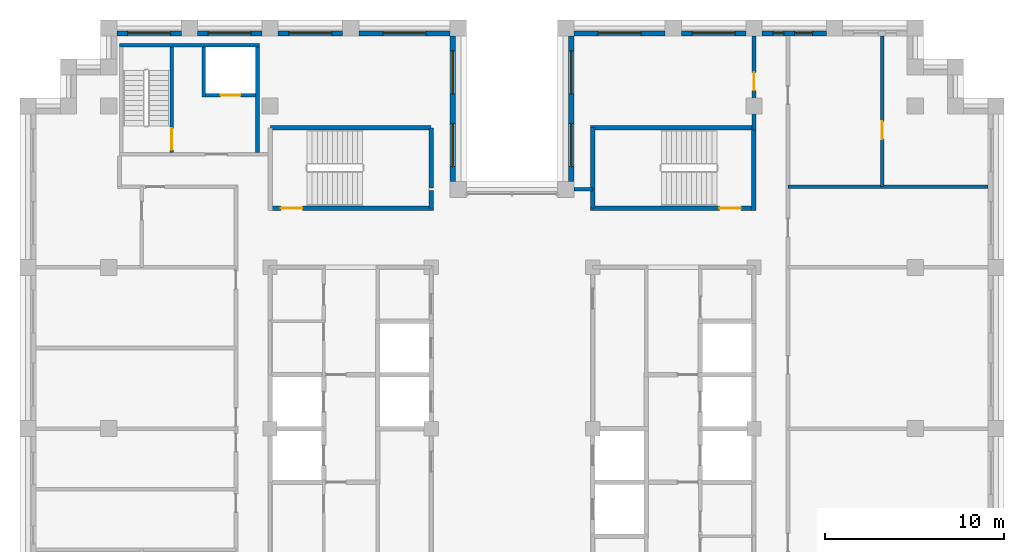
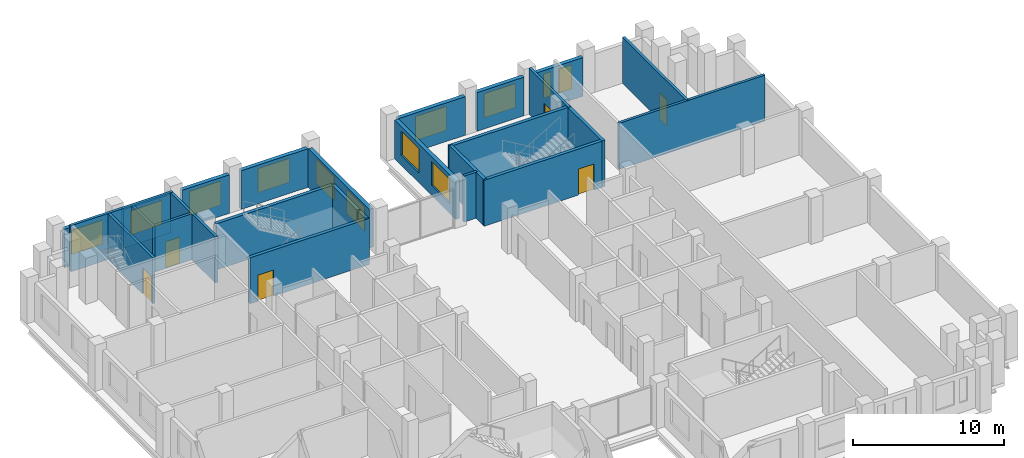
# One storey, part 10 of 13: 26 walls, 12 windows, 6 doors, 18 openings.
"""IFC4 building model written with IfcOpenShell, lengths in metres."""

from ifc_helpers import new_model, si_unit, direction, frame, frame_2d, origin, place, context, subcontext, project, spatial, rectangle, extrude, material, layer, layer_set, type_object, element, fill, save


model = new_model("IFC4")

# Units and contexts
model_context = context("Model", 3, precision=1e-05, world=origin(), true_north=direction((0.0, 1.0)))
body_context = subcontext(model_context, "Body", "Model", "MODEL_VIEW")
ifc_project = project(units=[si_unit("LENGTHUNIT", "METRE"), si_unit("AREAUNIT", "SQUARE_METRE"), si_unit("VOLUMEUNIT", "CUBIC_METRE"), si_unit("PLANEANGLEUNIT", "RADIAN"), si_unit("MASSUNIT", "GRAM", prefix="KILO")], contexts=[model_context])

# Site, building, storey
site_placement = place(None, origin())
site = spatial("IfcSite", under=ifc_project, at=site_placement, CompositionType="ELEMENT")
building_placement = place(site_placement, origin())
building = spatial("IfcBuilding", under=site, at=building_placement, Name="Corbelhall Arena Tower", CompositionType="ELEMENT")
storey_placement = place(building_placement, frame((0.0, 0.0, 282.0)))
storey = spatial("IfcBuildingStorey", under=building, at=storey_placement, Name="L61", CompositionType="ELEMENT", Elevation=282.0)

# Wall, openings, windows
ifc_material_1 = material(Name="Precast concrete C40/50 with granite facing", Category="masonry")
ifc_layer_1 = layer(ifc_material_1, 0.300048828125)
ifc_layer_set_1 = layer_set([ifc_layer_1], Name="EV-IW1 Infill panel 300")
wall_type_1 = type_object("IfcWallType", Name="EV-IW1 Infill panel 300", PredefinedType="SOLIDWALL", material=ifc_layer_set_1)
wall_1_placement = place(storey_placement, frame((17.550048828125, 22.050048828125, 0.0), z_axis=(0.0, 0.0, 1.0), x_axis=(-1.0, 0.0, 0.0)))
wall_1 = element("IfcWall", 1, at=wall_1_placement, inside=storey, type_object=wall_type_1, Name="Infill panel IW1", PredefinedType="SOLIDWALL", context=body_context, shape_type="SweptSolid", body=[
    extrude(rectangle(XDim=3.60009765625, YDim=0.300048828125, at=frame_2d((1.800048828125, 0.0))), origin(), (0.0, 0.0, 1.0), 3.1201171875),
])
opening_1_placement = place(wall_1_placement, frame((0.77490234375, 0.0, 0.800048828125)))
opening_1 = element("IfcOpeningElement", 2, at=opening_1_placement, cuts=wall_1, Name="Opening WN6", PredefinedType="OPENING", context=body_context, shape_type="SweptSolid", body=[
    extrude(rectangle(XDim=1.0, YDim=1.949951171875, at=frame_2d((0.5, 0.97509765625))), frame((0.0, 0.14990234375, 0.0), z_axis=(0.0, -1.0, 0.0), x_axis=(1.0, 0.0, 0.0)), (0.0, 0.0, 1.0), 0.300048828125),
])
opening_2_placement = place(wall_1_placement, frame((2.375, 0.0, 0.800048828125)))
opening_2 = element("IfcOpeningElement", 3, at=opening_2_placement, cuts=wall_1, Name="Opening WN5", PredefinedType="OPENING", context=body_context, shape_type="SweptSolid", body=[
    extrude(rectangle(XDim=0.60009765625, YDim=1.949951171875, at=frame_2d((0.300048828125, 0.97509765625))), frame((0.0, 0.14990234375, 0.0), z_axis=(0.0, -1.0, 0.0), x_axis=(1.0, 0.0, 0.0)), (0.0, 0.0, 1.0), 0.300048828125),
])
ifc_material_2 = material(Name="Aluminium black anodised", Category="aluminium")
window_type_1 = type_object("IfcWindowType", Name="EV-WN5 Office window 600", PartitioningType="SINGLE_PANEL", PredefinedType="WINDOW", material=ifc_material_2)
window_1_placement = place(opening_2_placement, origin())
window_1 = element("IfcWindow", 4, at=window_1_placement, inside=storey, type_object=window_type_1, Name="Window WN5", OverallHeight=1.949951171875, OverallWidth=0.60009765625, PartitioningType="SINGLE_PANEL", PredefinedType="WINDOW", context=body_context, shape_type="SweptSolid", body=[
    extrude(rectangle(XDim=0.60009765625, YDim=1.949951171875, at=frame_2d((0.300048828125, 0.97509765625))), frame((0.0, 0.030029296875, 0.0), z_axis=(0.0, -1.0, 0.0), x_axis=(1.0, 0.0, 0.0)), (0.0, 0.0, 1.0), 0.06005859375),
])
fill(opening_2, window_1)
window_type_2 = type_object("IfcWindowType", Name="EV-WN6 Office window 1000", PartitioningType="SINGLE_PANEL", PredefinedType="WINDOW", material=ifc_material_2)
window_2_placement = place(opening_1_placement, origin())
window_2 = element("IfcWindow", 5, at=window_2_placement, inside=storey, type_object=window_type_2, Name="Window WN6", OverallHeight=1.949951171875, OverallWidth=1.0, PartitioningType="SINGLE_PANEL", PredefinedType="WINDOW", context=body_context, shape_type="SweptSolid", body=[
    extrude(rectangle(XDim=1.0, YDim=1.949951171875, at=frame_2d((0.5, 0.97509765625))), frame((0.0, 0.030029296875, 0.0), z_axis=(0.0, -1.0, 0.0), x_axis=(1.0, 0.0, 0.0)), (0.0, 0.0, 1.0), 0.06005859375),
])
fill(opening_1, window_2)

# Wall, opening, window
wall_2_placement = place(storey_placement, frame((13.050048828125, 22.050048828125, 0.0), z_axis=(0.0, 0.0, 1.0), x_axis=(-1.0, 0.0, 0.0)))
wall_2 = element("IfcWall", 6, at=wall_2_placement, inside=storey, type_object=wall_type_1, Name="Infill panel IW1", PredefinedType="SOLIDWALL", context=body_context, shape_type="SweptSolid", body=[
    extrude(rectangle(XDim=3.60009765625, YDim=0.300048828125, at=frame_2d((1.800048828125, 0.0))), origin(), (0.0, 0.0, 1.0), 3.1201171875),
])
opening_3_placement = place(wall_2_placement, frame((0.60009765625, 0.0, 0.800048828125)))
opening_3 = element("IfcOpeningElement", 7, at=opening_3_placement, cuts=wall_2, Name="Opening WN1", PredefinedType="OPENING", context=body_context, shape_type="SweptSolid", body=[
    extrude(rectangle(XDim=2.39990234375, YDim=1.949951171875, at=frame_2d((1.199951171875, 0.97509765625))), frame((0.0, 0.14990234375, 0.0), z_axis=(0.0, -1.0, 0.0), x_axis=(1.0, 0.0, 0.0)), (0.0, 0.0, 1.0), 0.300048828125),
])
window_type_3 = type_object("IfcWindowType", Name="EV-WN1 Office window", PartitioningType="SINGLE_PANEL", PredefinedType="WINDOW", material=ifc_material_2)
window_3_placement = place(opening_3_placement, origin())
window_3 = element("IfcWindow", 8, at=window_3_placement, inside=storey, type_object=window_type_3, Name="Window WN1", OverallHeight=1.949951171875, OverallWidth=2.39990234375, PartitioningType="SINGLE_PANEL", PredefinedType="WINDOW", context=body_context, shape_type="SweptSolid", body=[
    extrude(rectangle(XDim=2.39990234375, YDim=1.949951171875, at=frame_2d((1.199951171875, 0.97509765625))), frame((0.0, 0.030029296875, 0.0), z_axis=(0.0, -1.0, 0.0), x_axis=(1.0, 0.0, 0.0)), (0.0, 0.0, 1.0), 0.06005859375),
])
fill(opening_3, window_3)

wall_3_placement = place(storey_placement, frame((8.550048828125, 22.050048828125, 0.0), z_axis=(0.0, 0.0, 1.0), x_axis=(-1.0, 0.0, 0.0)))
wall_3 = element("IfcWall", 9, at=wall_3_placement, inside=storey, type_object=wall_type_1, Name="Infill panel IW1", PredefinedType="SOLIDWALL", context=body_context, shape_type="SweptSolid", body=[
    extrude(rectangle(XDim=5.10009765625, YDim=0.300048828125, at=frame_2d((2.550048828125, 0.0))), origin(), (0.0, 0.0, 1.0), 3.1201171875),
])
opening_4_placement = place(wall_3_placement, frame((1.35009765625, 0.0, 0.800048828125)))
opening_4 = element("IfcOpeningElement", 10, at=opening_4_placement, cuts=wall_3, Name="Opening WN1", PredefinedType="OPENING", context=body_context, shape_type="SweptSolid", body=[
    extrude(rectangle(XDim=2.39990234375, YDim=1.949951171875, at=frame_2d((1.199951171875, 0.97509765625))), frame((0.0, 0.14990234375, 0.0), z_axis=(0.0, -1.0, 0.0), x_axis=(1.0, 0.0, 0.0)), (0.0, 0.0, 1.0), 0.300048828125),
])
window_4_placement = place(opening_4_placement, origin())
window_4 = element("IfcWindow", 11, at=window_4_placement, inside=storey, type_object=window_type_3, Name="Window WN1", OverallHeight=1.949951171875, OverallWidth=2.39990234375, PartitioningType="SINGLE_PANEL", PredefinedType="WINDOW", context=body_context, shape_type="SweptSolid", body=[
    extrude(rectangle(XDim=2.39990234375, YDim=1.949951171875, at=frame_2d((1.199951171875, 0.97509765625))), frame((0.0, 0.030029296875, 0.0), z_axis=(0.0, -1.0, 0.0), x_axis=(1.0, 0.0, 0.0)), (0.0, 0.0, 1.0), 0.06005859375),
])
fill(opening_4, window_4)

# Wall, openings, windows
wall_4_placement = place(storey_placement, frame((3.300048828125, 21.89990234375, 0.0), z_axis=(0.0, 0.0, 1.0), x_axis=(0.0, -1.0, 0.0)))
wall_4 = element("IfcWall", 12, at=wall_4_placement, inside=storey, type_object=wall_type_1, Name="Infill panel IW1", PredefinedType="SOLIDWALL", context=body_context, shape_type="SweptSolid", body=[
    extrude(rectangle(XDim=8.099853515625, YDim=0.300048828125, at=frame_2d((4.0498046875, 0.0))), origin(), (0.0, 0.0, 1.0), 3.1201171875),
])
opening_5_placement = place(wall_4_placement, frame((0.824951171875, 0.0, 0.800048828125)))
opening_5 = element("IfcOpeningElement", 13, at=opening_5_placement, cuts=wall_4, Name="Opening WN1", PredefinedType="OPENING", context=body_context, shape_type="SweptSolid", body=[
    extrude(rectangle(XDim=2.39990234375, YDim=1.949951171875, at=frame_2d((1.199951171875, 0.97509765625))), frame((0.0, 0.14990234375, 0.0), z_axis=(0.0, -1.0, 0.0), x_axis=(1.0, 0.0, 0.0)), (0.0, 0.0, 1.0), 0.300048828125),
])
opening_6_placement = place(wall_4_placement, frame((4.875, 0.0, 0.800048828125)))
opening_6 = element("IfcOpeningElement", 14, at=opening_6_placement, cuts=wall_4, Name="Opening WN1", PredefinedType="OPENING", context=body_context, shape_type="SweptSolid", body=[
    extrude(rectangle(XDim=2.39990234375, YDim=1.949951171875, at=frame_2d((1.199951171875, 0.97509765625))), frame((0.0, 0.14990234375, 0.0), z_axis=(0.0, -1.0, 0.0), x_axis=(1.0, 0.0, 0.0)), (0.0, 0.0, 1.0), 0.300048828125),
])
window_5_placement = place(opening_5_placement, origin())
window_5 = element("IfcWindow", 15, at=window_5_placement, inside=storey, type_object=window_type_3, Name="Window WN1", OverallHeight=1.949951171875, OverallWidth=2.39990234375, PartitioningType="SINGLE_PANEL", PredefinedType="WINDOW", context=body_context, shape_type="SweptSolid", body=[
    extrude(rectangle(XDim=2.39990234375, YDim=1.949951171875, at=frame_2d((1.199951171875, 0.97509765625))), frame((0.0, 0.030029296875, 0.0), z_axis=(0.0, -1.0, 0.0), x_axis=(1.0, 0.0, 0.0)), (0.0, 0.0, 1.0), 0.06005859375),
])
fill(opening_5, window_5)
window_6_placement = place(opening_6_placement, origin())
window_6 = element("IfcWindow", 16, at=window_6_placement, inside=storey, type_object=window_type_3, Name="Window WN1", OverallHeight=1.949951171875, OverallWidth=2.39990234375, PartitioningType="SINGLE_PANEL", PredefinedType="WINDOW", context=body_context, shape_type="SweptSolid", body=[
    extrude(rectangle(XDim=2.39990234375, YDim=1.949951171875, at=frame_2d((1.199951171875, 0.97509765625))), frame((0.0, 0.030029296875, 0.0), z_axis=(0.0, -1.0, 0.0), x_axis=(1.0, 0.0, 0.0)), (0.0, 0.0, 1.0), 0.06005859375),
])
fill(opening_6, window_6)

wall_5_placement = place(storey_placement, frame((-3.300048828125, 13.800048828125, 0.0), z_axis=(0.0, 0.0, 1.0), x_axis=(0.0, 1.0, 0.0)))
wall_5 = element("IfcWall", 17, at=wall_5_placement, inside=storey, type_object=wall_type_1, Name="Infill panel IW1", PredefinedType="SOLIDWALL", context=body_context, shape_type="SweptSolid", body=[
    extrude(rectangle(XDim=8.099853515625, YDim=0.300048828125, at=frame_2d((4.0498046875, 0.0))), origin(), (0.0, 0.0, 1.0), 3.1201171875),
])
opening_7_placement = place(wall_5_placement, frame((0.824951171875, 0.0, 0.800048828125)))
opening_7 = element("IfcOpeningElement", 18, at=opening_7_placement, cuts=wall_5, Name="Opening WN1", PredefinedType="OPENING", context=body_context, shape_type="SweptSolid", body=[
    extrude(rectangle(XDim=2.39990234375, YDim=1.949951171875, at=frame_2d((1.199951171875, 0.97509765625))), frame((0.0, 0.14990234375, 0.0), z_axis=(0.0, -1.0, 0.0), x_axis=(1.0, 0.0, 0.0)), (0.0, 0.0, 1.0), 0.300048828125),
])
opening_8_placement = place(wall_5_placement, frame((4.875, 0.0, 0.800048828125)))
opening_8 = element("IfcOpeningElement", 19, at=opening_8_placement, cuts=wall_5, Name="Opening WN1", PredefinedType="OPENING", context=body_context, shape_type="SweptSolid", body=[
    extrude(rectangle(XDim=2.39990234375, YDim=1.949951171875, at=frame_2d((1.199951171875, 0.97509765625))), frame((0.0, 0.14990234375, 0.0), z_axis=(0.0, -1.0, 0.0), x_axis=(1.0, 0.0, 0.0)), (0.0, 0.0, 1.0), 0.300048828125),
])
window_7_placement = place(opening_7_placement, origin())
window_7 = element("IfcWindow", 20, at=window_7_placement, inside=storey, type_object=window_type_3, Name="Window WN1", OverallHeight=1.949951171875, OverallWidth=2.39990234375, PartitioningType="SINGLE_PANEL", PredefinedType="WINDOW", context=body_context, shape_type="SweptSolid", body=[
    extrude(rectangle(XDim=2.39990234375, YDim=1.949951171875, at=frame_2d((1.199951171875, 0.97509765625))), frame((0.0, 0.030029296875, 0.0), z_axis=(0.0, -1.0, 0.0), x_axis=(1.0, 0.0, 0.0)), (0.0, 0.0, 1.0), 0.06005859375),
])
fill(opening_7, window_7)
window_8_placement = place(opening_8_placement, origin())
window_8 = element("IfcWindow", 21, at=window_8_placement, inside=storey, type_object=window_type_3, Name="Window WN1", OverallHeight=1.949951171875, OverallWidth=2.39990234375, PartitioningType="SINGLE_PANEL", PredefinedType="WINDOW", context=body_context, shape_type="SweptSolid", body=[
    extrude(rectangle(XDim=2.39990234375, YDim=1.949951171875, at=frame_2d((1.199951171875, 0.97509765625))), frame((0.0, 0.030029296875, 0.0), z_axis=(0.0, -1.0, 0.0), x_axis=(1.0, 0.0, 0.0)), (0.0, 0.0, 1.0), 0.06005859375),
])
fill(opening_8, window_8)

# Wall, opening, window
wall_6_placement = place(storey_placement, frame((-3.449951171875, 22.050048828125, 0.0), z_axis=(0.0, 0.0, 1.0), x_axis=(-1.0, 0.0, 0.0)))
wall_6 = element("IfcWall", 22, at=wall_6_placement, inside=storey, type_object=wall_type_1, Name="Infill panel IW1", PredefinedType="SOLIDWALL", context=body_context, shape_type="SweptSolid", body=[
    extrude(rectangle(XDim=5.10009765625, YDim=0.300048828125, at=frame_2d((2.550048828125, 0.0))), origin(), (0.0, 0.0, 1.0), 3.1201171875),
])
opening_9_placement = place(wall_6_placement, frame((1.35009765625, 0.0, 0.800048828125)))
opening_9 = element("IfcOpeningElement", 23, at=opening_9_placement, cuts=wall_6, Name="Opening WN1", PredefinedType="OPENING", context=body_context, shape_type="SweptSolid", body=[
    extrude(rectangle(XDim=2.39990234375, YDim=1.949951171875, at=frame_2d((1.199951171875, 0.97509765625))), frame((0.0, 0.14990234375, 0.0), z_axis=(0.0, -1.0, 0.0), x_axis=(1.0, 0.0, 0.0)), (0.0, 0.0, 1.0), 0.300048828125),
])
window_9_placement = place(opening_9_placement, origin())
window_9 = element("IfcWindow", 24, at=window_9_placement, inside=storey, type_object=window_type_3, Name="Window WN1", OverallHeight=1.949951171875, OverallWidth=2.39990234375, PartitioningType="SINGLE_PANEL", PredefinedType="WINDOW", context=body_context, shape_type="SweptSolid", body=[
    extrude(rectangle(XDim=2.39990234375, YDim=1.949951171875, at=frame_2d((1.199951171875, 0.97509765625))), frame((0.0, 0.030029296875, 0.0), z_axis=(0.0, -1.0, 0.0), x_axis=(1.0, 0.0, 0.0)), (0.0, 0.0, 1.0), 0.06005859375),
])
fill(opening_9, window_9)

wall_7_placement = place(storey_placement, frame((-9.449951171875, 22.050048828125, 0.0), z_axis=(0.0, 0.0, 1.0), x_axis=(-1.0, 0.0, 0.0)))
wall_7 = element("IfcWall", 25, at=wall_7_placement, inside=storey, type_object=wall_type_1, Name="Infill panel IW1", PredefinedType="SOLIDWALL", context=body_context, shape_type="SweptSolid", body=[
    extrude(rectangle(XDim=3.60009765625, YDim=0.300048828125, at=frame_2d((1.800048828125, 0.0))), origin(), (0.0, 0.0, 1.0), 3.1201171875),
])
opening_10_placement = place(wall_7_placement, frame((0.60009765625, 0.0, 0.800048828125)))
opening_10 = element("IfcOpeningElement", 26, at=opening_10_placement, cuts=wall_7, Name="Opening WN1", PredefinedType="OPENING", context=body_context, shape_type="SweptSolid", body=[
    extrude(rectangle(XDim=2.39990234375, YDim=1.949951171875, at=frame_2d((1.199951171875, 0.97509765625))), frame((0.0, 0.14990234375, 0.0), z_axis=(0.0, -1.0, 0.0), x_axis=(1.0, 0.0, 0.0)), (0.0, 0.0, 1.0), 0.300048828125),
])
window_10_placement = place(opening_10_placement, origin())
window_10 = element("IfcWindow", 27, at=window_10_placement, inside=storey, type_object=window_type_3, Name="Window WN1", OverallHeight=1.949951171875, OverallWidth=2.39990234375, PartitioningType="SINGLE_PANEL", PredefinedType="WINDOW", context=body_context, shape_type="SweptSolid", body=[
    extrude(rectangle(XDim=2.39990234375, YDim=1.949951171875, at=frame_2d((1.199951171875, 0.97509765625))), frame((0.0, 0.030029296875, 0.0), z_axis=(0.0, -1.0, 0.0), x_axis=(1.0, 0.0, 0.0)), (0.0, 0.0, 1.0), 0.06005859375),
])
fill(opening_10, window_10)

wall_8_placement = place(storey_placement, frame((-13.949951171875, 22.050048828125, 0.0), z_axis=(0.0, 0.0, 1.0), x_axis=(-1.0, 0.0, 0.0)))
wall_8 = element("IfcWall", 28, at=wall_8_placement, inside=storey, type_object=wall_type_1, Name="Infill panel IW1", PredefinedType="SOLIDWALL", context=body_context, shape_type="SweptSolid", body=[
    extrude(rectangle(XDim=3.60009765625, YDim=0.300048828125, at=frame_2d((1.800048828125, 0.0))), origin(), (0.0, 0.0, 1.0), 3.1201171875),
])
opening_11_placement = place(wall_8_placement, frame((0.60009765625, 0.0, 0.800048828125)))
opening_11 = element("IfcOpeningElement", 29, at=opening_11_placement, cuts=wall_8, Name="Opening WN1", PredefinedType="OPENING", context=body_context, shape_type="SweptSolid", body=[
    extrude(rectangle(XDim=2.39990234375, YDim=1.949951171875, at=frame_2d((1.199951171875, 0.97509765625))), frame((0.0, 0.14990234375, 0.0), z_axis=(0.0, -1.0, 0.0), x_axis=(1.0, 0.0, 0.0)), (0.0, 0.0, 1.0), 0.300048828125),
])
window_11_placement = place(opening_11_placement, origin())
window_11 = element("IfcWindow", 30, at=window_11_placement, inside=storey, type_object=window_type_3, Name="Window WN1", OverallHeight=1.949951171875, OverallWidth=2.39990234375, PartitioningType="SINGLE_PANEL", PredefinedType="WINDOW", context=body_context, shape_type="SweptSolid", body=[
    extrude(rectangle(XDim=2.39990234375, YDim=1.949951171875, at=frame_2d((1.199951171875, 0.97509765625))), frame((0.0, 0.030029296875, 0.0), z_axis=(0.0, -1.0, 0.0), x_axis=(1.0, 0.0, 0.0)), (0.0, 0.0, 1.0), 0.06005859375),
])
fill(opening_11, window_11)

wall_9_placement = place(storey_placement, frame((-18.449951171875, 22.050048828125, 0.0), z_axis=(0.0, 0.0, 1.0), x_axis=(-1.0, 0.0, 0.0)))
wall_9 = element("IfcWall", 31, at=wall_9_placement, inside=storey, type_object=wall_type_1, Name="Infill panel IW1", PredefinedType="SOLIDWALL", context=body_context, shape_type="SweptSolid", body=[
    extrude(rectangle(XDim=3.60009765625, YDim=0.300048828125, at=frame_2d((1.800048828125, 0.0))), origin(), (0.0, 0.0, 1.0), 3.1201171875),
])
opening_12_placement = place(wall_9_placement, frame((0.60009765625, 0.0, 0.800048828125)))
opening_12 = element("IfcOpeningElement", 32, at=opening_12_placement, cuts=wall_9, Name="Opening WN1", PredefinedType="OPENING", context=body_context, shape_type="SweptSolid", body=[
    extrude(rectangle(XDim=2.39990234375, YDim=1.949951171875, at=frame_2d((1.199951171875, 0.97509765625))), frame((0.0, 0.14990234375, 0.0), z_axis=(0.0, -1.0, 0.0), x_axis=(1.0, 0.0, 0.0)), (0.0, 0.0, 1.0), 0.300048828125),
])
window_12_placement = place(opening_12_placement, origin())
window_12 = element("IfcWindow", 33, at=window_12_placement, inside=storey, type_object=window_type_3, Name="Window WN1", OverallHeight=1.949951171875, OverallWidth=2.39990234375, PartitioningType="SINGLE_PANEL", PredefinedType="WINDOW", context=body_context, shape_type="SweptSolid", body=[
    extrude(rectangle(XDim=2.39990234375, YDim=1.949951171875, at=frame_2d((1.199951171875, 0.97509765625))), frame((0.0, 0.030029296875, 0.0), z_axis=(0.0, -1.0, 0.0), x_axis=(1.0, 0.0, 0.0)), (0.0, 0.0, 1.0), 0.06005859375),
])
fill(opening_12, window_12)

# Wall
ifc_material_3 = material(Name="Gypsum board on steel stud, acoustic", Category="steel")
ifc_layer_2 = layer(ifc_material_3, 0.199951171875)
ifc_layer_set_2 = layer_set([ifc_layer_2], Name="IN-W-DM200")
wall_type_2 = type_object("IfcWallType", Name="IN-W-DM200", PredefinedType="PARTITIONING", material=ifc_layer_set_2)
wall_10_placement = place(storey_placement, frame((3.450439453125, 13.35009765625, 0.0), z_axis=(0.0, 0.0, 1.0), x_axis=(1.0, 0.0, 0.0)))
element("IfcWall", 34, at=wall_10_placement, inside=storey, type_object=wall_type_2, Name="Partition 015", PredefinedType="PARTITIONING", context=body_context, shape_type="SweptSolid", body=[
    extrude(rectangle(XDim=1.049072265625, YDim=0.199951171875, at=frame_2d((0.5244140625, 0.0))), origin(), (0.0, 0.0, 1.0), 3.719970703125),
])

# Wall, opening, door
wall_11_placement = place(storey_placement, frame((13.5, 16.675048828125, 0.0), z_axis=(0.0, 0.0, 1.0), x_axis=(0.0, 1.0, 0.0)))
wall_11 = element("IfcWall", 35, at=wall_11_placement, inside=storey, type_object=wall_type_2, Name="Partition 018", PredefinedType="PARTITIONING", context=body_context, shape_type="SweptSolid", body=[
    extrude(rectangle(XDim=5.224853515625, YDim=0.199951171875, at=frame_2d((2.6123046875, 0.0))), origin(), (0.0, 0.0, 1.0), 3.719970703125),
])
opening_13_placement = place(wall_11_placement, frame((2.199951171875, 0.0, 0.0)))
opening_13 = element("IfcOpeningElement", 36, at=opening_13_placement, cuts=wall_11, Name="Opening 19019", PredefinedType="OPENING", context=body_context, shape_type="SweptSolid", body=[
    extrude(rectangle(XDim=1.0, YDim=2.10009765625, at=frame_2d((0.5, 1.050048828125))), frame((0.0, 0.10009765625, 0.0), z_axis=(0.0, -1.0, 0.0), x_axis=(1.0, 0.0, 0.0)), (0.0, 0.0, 1.0), 0.199951171875),
])
ifc_material_4 = material(Name="Steel door set", Category="steel")
door_type_1 = type_object("IfcDoorType", Name="IN-D-SW100", OperationType="NOTDEFINED", PredefinedType="DOOR", material=ifc_material_4)
door_1_placement = place(opening_13_placement, origin())
door_1 = element("IfcDoor", 37, at=door_1_placement, inside=storey, type_object=door_type_1, Name="Door 019", OperationType="SINGLE_SWING_RIGHT", OverallHeight=2.10009765625, OverallWidth=1.0, PredefinedType="DOOR", context=body_context, shape_type="SweptSolid", body=[
    extrude(rectangle(XDim=1.0, YDim=2.10009765625, at=frame_2d((0.5, 1.050048828125))), frame((0.0, 0.02490234375, 0.0), z_axis=(0.0, -1.0, 0.0), x_axis=(1.0, 0.0, 0.0)), (0.0, 0.0, 1.0), 0.050048828125),
])
fill(opening_13, door_1)

# Wall
wall_12_placement = place(storey_placement, frame((15.39990234375, 13.5, 0.0), z_axis=(0.0, 0.0, 1.0), x_axis=(1.0, 0.0, 0.0)))
element("IfcWall", 38, at=wall_12_placement, inside=storey, type_object=wall_type_2, Name="Partition 022", PredefinedType="PARTITIONING", context=body_context, shape_type="SweptSolid", body=[
    extrude(rectangle(XDim=11.150146484375, YDim=0.199951171875, at=frame_2d((5.5751953125, 0.0))), origin(), (0.0, 0.0, 1.0), 3.719970703125),
])

# Wall, opening, door
wall_13_placement = place(storey_placement, frame((20.64990234375, 21.89990234375, 0.0), z_axis=(0.0, 0.0, 1.0), x_axis=(0.0, -1.0, 0.0)))
wall_13 = element("IfcWall", 39, at=wall_13_placement, inside=storey, type_object=wall_type_2, Name="Partition 024", PredefinedType="PARTITIONING", context=body_context, shape_type="SweptSolid", body=[
    extrude(rectangle(XDim=8.39990234375, YDim=0.199951171875, at=frame_2d((4.199951171875, 0.0))), origin(), (0.0, 0.0, 1.0), 3.719970703125),
])
opening_14_placement = place(wall_13_placement, frame((4.75, 0.0, 0.0)))
opening_14 = element("IfcOpeningElement", 40, at=opening_14_placement, cuts=wall_13, Name="Opening 19035", PredefinedType="OPENING", context=body_context, shape_type="SweptSolid", body=[
    extrude(rectangle(XDim=1.0, YDim=2.10009765625, at=frame_2d((0.5, 1.050048828125))), frame((0.0, 0.10009765625, 0.0), z_axis=(0.0, -1.0, 0.0), x_axis=(1.0, 0.0, 0.0)), (0.0, 0.0, 1.0), 0.199951171875),
])
door_2_placement = place(opening_14_placement, origin())
door_2 = element("IfcDoor", 41, at=door_2_placement, inside=storey, type_object=door_type_1, Name="Door 035", OperationType="SINGLE_SWING_RIGHT", OverallHeight=2.10009765625, OverallWidth=1.0, PredefinedType="DOOR", context=body_context, shape_type="SweptSolid", body=[
    extrude(rectangle(XDim=1.0, YDim=2.10009765625, at=frame_2d((0.5, 1.050048828125))), frame((0.0, 0.02490234375, 0.0), z_axis=(0.0, -1.0, 0.0), x_axis=(1.0, 0.0, 0.0)), (0.0, 0.0, 1.0), 0.050048828125),
])
fill(opening_14, door_2)

# Walls
ifc_material_5 = material(Name="Concrete C40/50", Category="concrete")
ifc_layer_3 = layer(ifc_material_5, 0.199951171875)
ifc_layer_set_3 = layer_set([ifc_layer_3], Name="IN-W-EAR200")
wall_type_3 = type_object("IfcWallType", Name="IN-W-EAR200", PredefinedType="SOLIDWALL", material=ifc_layer_set_3)
wall_14_placement = place(storey_placement, frame((-21.89990234375, 21.39990234375, 0.0), z_axis=(0.0, 0.0, 1.0), x_axis=(1.0, 0.0, 0.0)))
element("IfcWall", 42, at=wall_14_placement, inside=storey, type_object=wall_type_3, Name="Fire service turret wall north", PredefinedType="SOLIDWALL", context=body_context, shape_type="SweptSolid", body=[
    extrude(rectangle(XDim=7.7998046875, YDim=0.199951171875, at=frame_2d((3.89990234375, 0.0))), origin(), (0.0, 0.0, 1.0), 3.719970703125),
])
wall_15_placement = place(storey_placement, frame((-14.199951171875, 15.39990234375, 0.0), z_axis=(0.0, 0.0, 1.0), x_axis=(0.0, 1.0, 0.0)))
element("IfcWall", 43, at=wall_15_placement, inside=storey, type_object=wall_type_3, Name="Fire service turret wall east", PredefinedType="SOLIDWALL", context=body_context, shape_type="SweptSolid", body=[
    extrude(rectangle(XDim=5.900146484375, YDim=0.199951171875, at=frame_2d((2.9501953125, 0.0))), origin(), (0.0, 0.0, 1.0), 3.719970703125),
])

# Wall, opening, door
wall_16_placement = place(storey_placement, frame((-18.989990234375, 15.39990234375, 0.0), z_axis=(0.0, 0.0, 1.0), x_axis=(0.0, 1.0, 0.0)))
wall_16 = element("IfcWall", 44, at=wall_16_placement, inside=storey, type_object=wall_type_3, Name="Fire service turret wall stair", PredefinedType="SOLIDWALL", context=body_context, shape_type="SweptSolid", body=[
    extrude(rectangle(XDim=5.900146484375, YDim=0.199951171875, at=frame_2d((2.9501953125, 0.0))), origin(), (0.0, 0.0, 1.0), 3.719970703125),
])
opening_15_placement = place(wall_16_placement, frame((0.14990234375, 0.0, 0.0)))
opening_15 = element("IfcOpeningElement", 45, at=opening_15_placement, cuts=wall_16, Name="Opening E191", PredefinedType="OPENING", context=body_context, shape_type="SweptSolid", body=[
    extrude(rectangle(XDim=1.199951171875, YDim=2.10009765625, at=frame_2d((0.60009765625, 1.050048828125))), frame((0.0, 0.10009765625, 0.0), z_axis=(0.0, -1.0, 0.0), x_axis=(1.0, 0.0, 0.0)), (0.0, 0.0, 1.0), 0.199951171875),
])
door_type_2 = type_object("IfcDoorType", Name="IN-D-ST120", OperationType="NOTDEFINED", PredefinedType="DOOR", material=ifc_material_4)
door_3_placement = place(opening_15_placement, origin())
door_3 = element("IfcDoor", 46, at=door_3_placement, inside=storey, type_object=door_type_2, Name="Stair door to fire service lobby", OperationType="SINGLE_SWING_LEFT", OverallHeight=2.10009765625, OverallWidth=1.199951171875, PredefinedType="DOOR", context=body_context, shape_type="SweptSolid", body=[
    extrude(rectangle(XDim=1.199951171875, YDim=2.10009765625, at=frame_2d((0.60009765625, 1.050048828125))), frame((0.0, 0.02490234375, 0.0), z_axis=(0.0, -1.0, 0.0), x_axis=(1.0, 0.0, 0.0)), (0.0, 0.0, 1.0), 0.050048828125),
])
fill(opening_15, door_3)

# Wall
wall_17_placement = place(storey_placement, frame((-17.199951171875, 18.5, 0.0), z_axis=(0.0, 0.0, 1.0), x_axis=(0.0, 1.0, 0.0)))
element("IfcWall", 47, at=wall_17_placement, inside=storey, type_object=wall_type_3, Name="Fire service turret wall hoistway west", PredefinedType="SOLIDWALL", context=body_context, shape_type="SweptSolid", body=[
    extrude(rectangle(XDim=2.800048828125, YDim=0.199951171875, at=frame_2d((1.39990234375, 0.0))), origin(), (0.0, 0.0, 1.0), 3.719970703125),
])

# Wall, opening, door
wall_18_placement = place(storey_placement, frame((-17.10009765625, 18.60009765625, 0.0), z_axis=(0.0, 0.0, 1.0), x_axis=(1.0, 0.0, 0.0)))
wall_18 = element("IfcWall", 48, at=wall_18_placement, inside=storey, type_object=wall_type_3, Name="Fire service turret wall hoistway south", PredefinedType="SOLIDWALL", context=body_context, shape_type="SweptSolid", body=[
    extrude(rectangle(XDim=2.800048828125, YDim=0.199951171875, at=frame_2d((1.39990234375, 0.0))), origin(), (0.0, 0.0, 1.0), 3.719970703125),
])
opening_16_placement = place(wall_18_placement, frame((0.85009765625, 0.0, 0.0)))
opening_16 = element("IfcOpeningElement", 49, at=opening_16_placement, cuts=wall_18, Name="Opening LD", PredefinedType="OPENING", context=body_context, shape_type="SweptSolid", body=[
    extrude(rectangle(XDim=1.10009765625, YDim=2.10009765625, at=frame_2d((0.550048828125, 1.050048828125))), frame((0.0, 0.10009765625, 0.0), z_axis=(0.0, -1.0, 0.0), x_axis=(1.0, 0.0, 0.0)), (0.0, 0.0, 1.0), 0.199951171875),
])
door_type_3 = type_object("IfcDoorType", Name="IN-D-LD110", OperationType="NOTDEFINED", PredefinedType="DOOR", material=ifc_material_4)
door_4_placement = place(opening_16_placement, origin())
door_4 = element("IfcDoor", 50, at=door_4_placement, inside=storey, type_object=door_type_3, Name="Landing door FS1", OperationType="SLIDING_TO_LEFT", OverallHeight=2.10009765625, OverallWidth=1.10009765625, PredefinedType="DOOR", context=body_context, shape_type="SweptSolid", body=[
    extrude(rectangle(XDim=1.10009765625, YDim=2.10009765625, at=frame_2d((0.550048828125, 1.050048828125))), frame((0.0, 0.02490234375, 0.0), z_axis=(0.0, -1.0, 0.0), x_axis=(1.0, 0.0, 0.0)), (0.0, 0.0, 1.0), 0.050048828125),
])
fill(opening_16, door_4)

ifc_layer_4 = layer(ifc_material_5, 0.25)
ifc_layer_set_4 = layer_set([ifc_layer_4], Name="IN-W-ST250")
wall_type_4 = type_object("IfcWallType", Name="IN-W-ST250", PredefinedType="SOLIDWALL", material=ifc_layer_set_4)
wall_19_placement = place(storey_placement, frame((-13.5, 12.300048828125, 0.0), z_axis=(0.0, 0.0, 1.0), x_axis=(1.0, 0.0, 0.0)))
wall_19 = element("IfcWall", 51, at=wall_19_placement, inside=storey, type_object=wall_type_4, Name="Shaft wall 066", PredefinedType="SOLIDWALL", context=body_context, shape_type="SweptSolid", body=[
    extrude(rectangle(XDim=9.125, YDim=0.25, at=frame_2d((4.5625, 0.0))), origin(), (0.0, 0.0, 1.0), 3.719970703125),
])
opening_17_placement = place(wall_19_placement, frame((0.60009765625, 0.0, 0.0)))
opening_17 = element("IfcOpeningElement", 52, at=opening_17_placement, cuts=wall_19, Name="Opening 19015", PredefinedType="OPENING", context=body_context, shape_type="SweptSolid", body=[
    extrude(rectangle(XDim=1.199951171875, YDim=2.10009765625, at=frame_2d((0.60009765625, 1.050048828125))), frame((0.0, 0.125, 0.0), z_axis=(0.0, -1.0, 0.0), x_axis=(1.0, 0.0, 0.0)), (0.0, 0.0, 1.0), 0.25),
])
door_5_placement = place(opening_17_placement, origin())
door_5 = element("IfcDoor", 53, at=door_5_placement, inside=storey, type_object=door_type_2, Name="Door 015", OperationType="SINGLE_SWING_RIGHT", OverallHeight=2.10009765625, OverallWidth=1.199951171875, PredefinedType="DOOR", context=body_context, shape_type="SweptSolid", body=[
    extrude(rectangle(XDim=1.199951171875, YDim=2.10009765625, at=frame_2d((0.60009765625, 1.050048828125))), frame((0.0, 0.02490234375, 0.0), z_axis=(0.0, -1.0, 0.0), x_axis=(1.0, 0.0, 0.0)), (0.0, 0.0, 1.0), 0.050048828125),
])
fill(opening_17, door_5)

# Walls
wall_20_placement = place(storey_placement, frame((-13.47998046875, 16.800048828125, 0.0), z_axis=(0.0, 0.0, 1.0), x_axis=(1.0, 0.0, 0.0)))
element("IfcWall", 54, at=wall_20_placement, inside=storey, type_object=wall_type_4, Name="Shaft wall 068", PredefinedType="SOLIDWALL", context=body_context, shape_type="SweptSolid", body=[
    extrude(rectangle(XDim=8.9599609375, YDim=0.25, at=frame_2d((4.47998046875, 0.0))), origin(), (0.0, 0.0, 1.0), 3.719970703125),
])
wall_21_placement = place(storey_placement, frame((-4.5, 13.282958984375, 0.0), z_axis=(0.0, 0.0, 1.0), x_axis=(0.0, -1.0, 0.0)))
element("IfcWall", 55, at=wall_21_placement, inside=storey, type_object=wall_type_4, Name="Shaft wall 071", PredefinedType="SOLIDWALL", context=body_context, shape_type="SweptSolid", body=[
    extrude(rectangle(XDim=0.98291015625, YDim=0.25, at=frame_2d((0.491455078125, 0.0))), origin(), (0.0, 0.0, 1.0), 3.719970703125),
])
wall_22_placement = place(storey_placement, frame((-4.5, 16.780029296875, 0.0), z_axis=(0.0, 0.0, 1.0), x_axis=(0.0, -1.0, 0.0)))
element("IfcWall", 56, at=wall_22_placement, inside=storey, type_object=wall_type_4, Name="Shaft wall 072", PredefinedType="SOLIDWALL", context=body_context, shape_type="SweptSolid", body=[
    extrude(rectangle(XDim=3.363037109375, YDim=0.25, at=frame_2d((1.681640625, 0.0))), origin(), (0.0, 0.0, 1.0), 3.719970703125),
])

# Wall, opening, door
wall_23_placement = place(storey_placement, frame((4.375, 12.300048828125, 0.0), z_axis=(0.0, 0.0, 1.0), x_axis=(1.0, 0.0, 0.0)))
wall_23 = element("IfcWall", 57, at=wall_23_placement, inside=storey, type_object=wall_type_4, Name="Shaft wall 074", PredefinedType="SOLIDWALL", context=body_context, shape_type="SweptSolid", body=[
    extrude(rectangle(XDim=9.125, YDim=0.25, at=frame_2d((4.5625, 0.0))), origin(), (0.0, 0.0, 1.0), 3.719970703125),
])
opening_18_placement = place(wall_23_placement, frame((7.199951171875, 0.0, 0.0)))
opening_18 = element("IfcOpeningElement", 58, at=opening_18_placement, cuts=wall_23, Name="Opening 19017", PredefinedType="OPENING", context=body_context, shape_type="SweptSolid", body=[
    extrude(rectangle(XDim=1.199951171875, YDim=2.10009765625, at=frame_2d((0.60009765625, 1.050048828125))), frame((0.0, 0.125, 0.0), z_axis=(0.0, -1.0, 0.0), x_axis=(1.0, 0.0, 0.0)), (0.0, 0.0, 1.0), 0.25),
])
door_6_placement = place(opening_18_placement, origin())
door_6 = element("IfcDoor", 59, at=door_6_placement, inside=storey, type_object=door_type_2, Name="Door 017", OperationType="SINGLE_SWING_RIGHT", OverallHeight=2.10009765625, OverallWidth=1.199951171875, PredefinedType="DOOR", context=body_context, shape_type="SweptSolid", body=[
    extrude(rectangle(XDim=1.199951171875, YDim=2.10009765625, at=frame_2d((0.60009765625, 1.050048828125))), frame((0.0, 0.02490234375, 0.0), z_axis=(0.0, -1.0, 0.0), x_axis=(1.0, 0.0, 0.0)), (0.0, 0.0, 1.0), 0.050048828125),
])
fill(opening_18, door_6)

# Walls
wall_24_placement = place(storey_placement, frame((4.375, 16.800048828125, 0.0), z_axis=(0.0, 0.0, 1.0), x_axis=(1.0, 0.0, 0.0)))
element("IfcWall", 60, at=wall_24_placement, inside=storey, type_object=wall_type_4, Name="Shaft wall 075", PredefinedType="SOLIDWALL", context=body_context, shape_type="SweptSolid", body=[
    extrude(rectangle(XDim=9.125, YDim=0.25, at=frame_2d((4.5625, 0.0))), origin(), (0.0, 0.0, 1.0), 3.719970703125),
])
wall_25_placement = place(storey_placement, frame((4.5, 12.300048828125, 0.0), z_axis=(0.0, 0.0, 1.0), x_axis=(0.0, 1.0, 0.0)))
element("IfcWall", 61, at=wall_25_placement, inside=storey, type_object=wall_type_4, Name="Shaft wall 077", PredefinedType="SOLIDWALL", context=body_context, shape_type="SweptSolid", body=[
    extrude(rectangle(XDim=4.5, YDim=0.25, at=frame_2d((2.25, 0.0))), origin(), (0.0, 0.0, 1.0), 3.719970703125),
])
wall_26_placement = place(storey_placement, frame((13.5, 12.175048828125, 0.0), z_axis=(0.0, 0.0, 1.0), x_axis=(0.0, 1.0, 0.0)))
element("IfcWall", 62, at=wall_26_placement, inside=storey, type_object=wall_type_4, Name="Shaft wall 081", PredefinedType="SOLIDWALL", context=body_context, shape_type="SweptSolid", body=[
    extrude(rectangle(XDim=4.75, YDim=0.25, at=frame_2d((2.375, 0.0))), origin(), (0.0, 0.0, 1.0), 3.719970703125),
])

save(model, "model.ifc")
